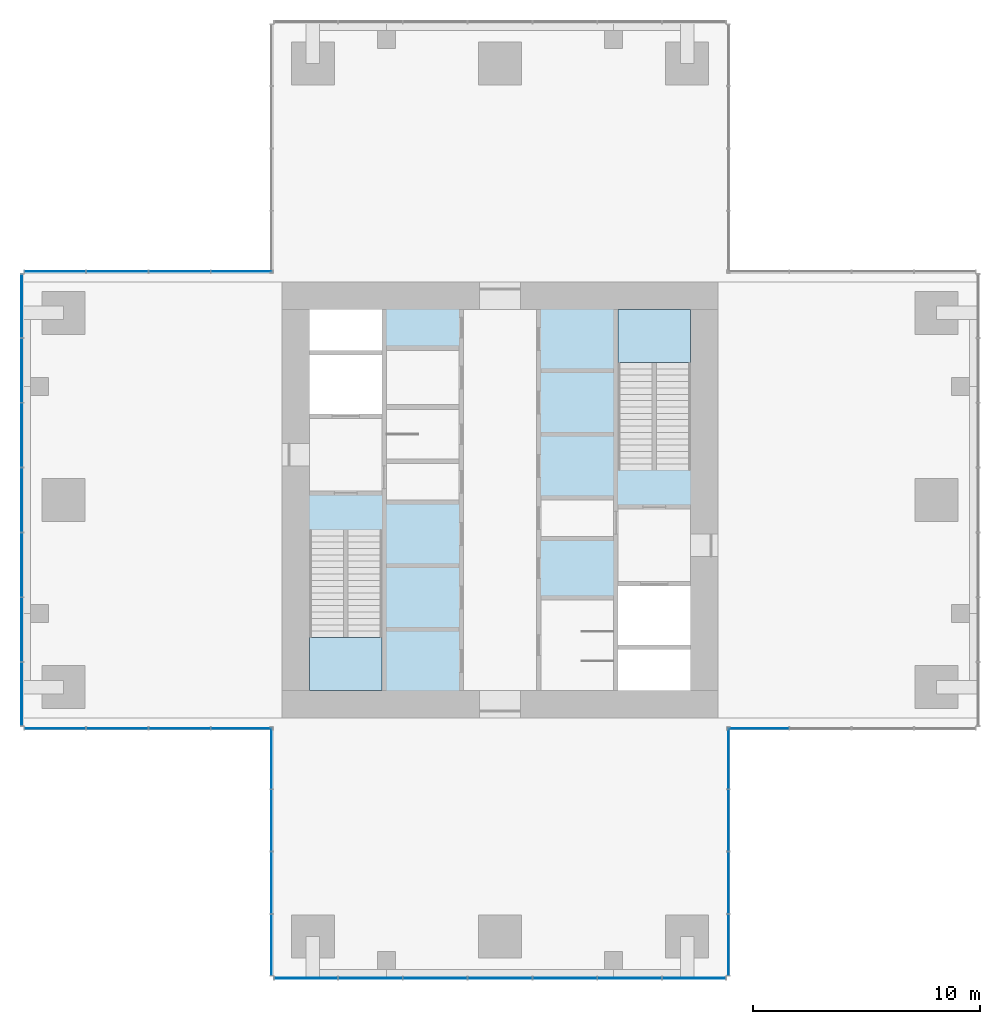
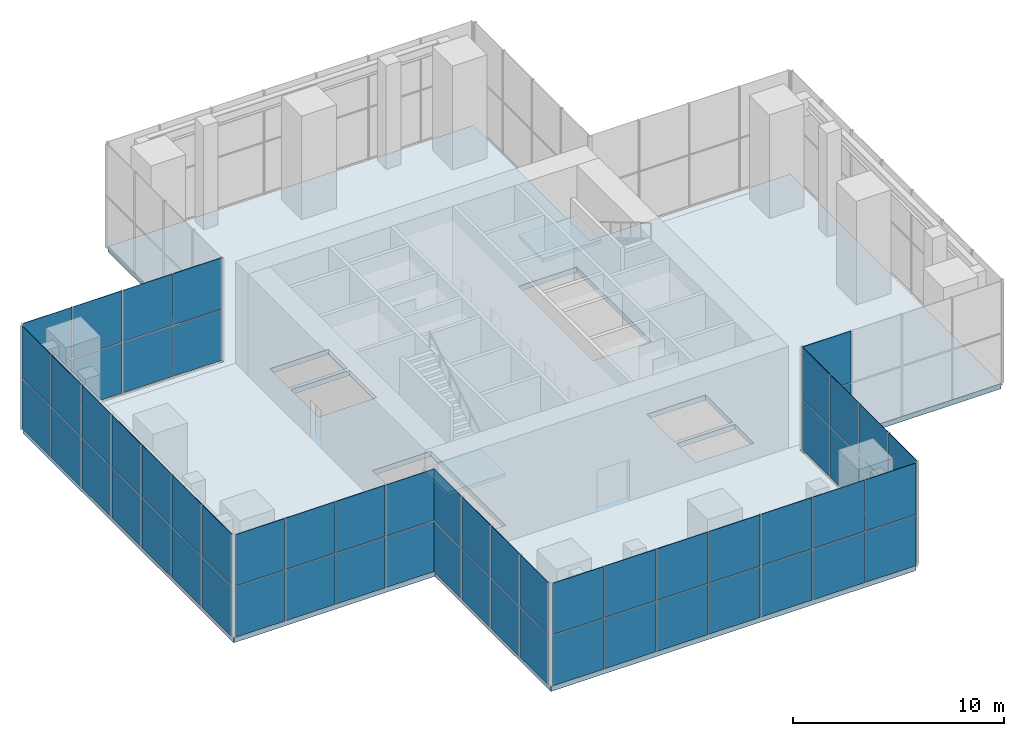
# One storey, part 7 of 11: 62 plates, 3 slabs, 9 elements without a shape of their own.
"""IFC4 building model written with IfcOpenShell, lengths in metres."""

from ifc_helpers import new_model, si_unit, direction, frame, origin, origin_2d, place, context, subcontext, project, spatial, polyline, rectangle, outline, extrude, material, layer, layer_set, type_object, element, aggregate, save


model = new_model("IFC4")

# Units and contexts
model_context = context("Model", 3, precision=1e-05, world=origin(), true_north=direction((0.0, 1.0)))
body_context = subcontext(model_context, "Body", "Model", "MODEL_VIEW")
ifc_project = project(units=[si_unit("LENGTHUNIT", "METRE"), si_unit("AREAUNIT", "SQUARE_METRE"), si_unit("VOLUMEUNIT", "CUBIC_METRE"), si_unit("PLANEANGLEUNIT", "RADIAN"), si_unit("MASSUNIT", "GRAM", prefix="KILO")], contexts=[model_context])

# Site, building, storey
site_placement = place(None, origin())
site = spatial("IfcSite", under=ifc_project, at=site_placement, CompositionType="ELEMENT")
building_placement = place(site_placement, origin())
building = spatial("IfcBuilding", under=site, at=building_placement, Name="Svetlomir Tower", CompositionType="ELEMENT")
storey_placement = place(building_placement, frame((0.0, 0.0, 277.89990234375)))
storey = spatial("IfcBuildingStorey", under=building, at=storey_placement, Name="L66", CompositionType="ELEMENT", Elevation=277.89990234375)

# Curtain wall, plates
ifc_material_1 = material(Name="Bronze anodised aluminium curtain wall", Category="aluminium")
curtain_wall_type = type_object("IfcCurtainWallType", Name="CURTAIN WALL CW6 LANTERN", PredefinedType="NOTDEFINED", material=ifc_material_1)
curtain_wall_1_placement = place(storey_placement, origin())
curtain_wall_1 = element("IfcCurtainWall", 1, at=curtain_wall_1_placement, inside=storey, type_object=curtain_wall_type, Name="Curtain wall CW6 L66", PredefinedType="NOTDEFINED")
ifc_material_2 = material(Name="Tinted double glazed unit", Category="glass")
ifc_layer_1 = layer(ifc_material_2, 0.028076171875)
ifc_layer_set_1 = layer_set([ifc_layer_1], Name="Tinted double glazed unit")
plate_type = type_object("IfcPlateType", Name="CW6 GLAZED PANEL 28", PredefinedType="CURTAIN_PANEL", material=ifc_layer_set_1)
plate_1_placement = place(storey_placement, frame((12.443603515625, -0.080078125, 0.06005859375), z_axis=(0.0, 0.0, 1.0), x_axis=(1.0, 0.0, 0.0)))
plate_1 = element("IfcPlate", 2, at=plate_1_placement, type_object=plate_type, Name="CW6 panel 1.1", PredefinedType="CURTAIN_PANEL", context=body_context, shape_type="SweptSolid", body=[
    extrude(rectangle(XDim=2.76708984375, YDim=0.028076171875, at=origin_2d()), origin(), (0.0, 0.0, 1.0), 2.909912109375),
])
plate_2_placement = place(storey_placement, frame((12.443603515625, -0.080078125, 3.0302734375), z_axis=(0.0, 0.0, 1.0), x_axis=(1.0, 0.0, 0.0)))
plate_2 = element("IfcPlate", 3, at=plate_2_placement, type_object=plate_type, Name="CW6 panel 1.2", PredefinedType="CURTAIN_PANEL", context=body_context, shape_type="SweptSolid", body=[
    extrude(rectangle(XDim=2.76708984375, YDim=0.028076171875, at=origin_2d()), origin(), (0.0, 0.0, 1.0), 2.969970703125),
])
plate_3_placement = place(storey_placement, frame((15.28564453125, -0.080078125, 0.06005859375), z_axis=(0.0, 0.0, 1.0), x_axis=(1.0, 0.0, 0.0)))
plate_3 = element("IfcPlate", 4, at=plate_3_placement, type_object=plate_type, Name="CW6 panel 2.1", PredefinedType="CURTAIN_PANEL", context=body_context, shape_type="SweptSolid", body=[
    extrude(rectangle(XDim=2.797119140625, YDim=0.028076171875, at=origin_2d()), origin(), (0.0, 0.0, 1.0), 2.909912109375),
])
plate_4_placement = place(storey_placement, frame((15.28564453125, -0.080078125, 3.0302734375), z_axis=(0.0, 0.0, 1.0), x_axis=(1.0, 0.0, 0.0)))
plate_4 = element("IfcPlate", 5, at=plate_4_placement, type_object=plate_type, Name="CW6 panel 2.2", PredefinedType="CURTAIN_PANEL", context=body_context, shape_type="SweptSolid", body=[
    extrude(rectangle(XDim=2.797119140625, YDim=0.028076171875, at=origin_2d()), origin(), (0.0, 0.0, 1.0), 2.969970703125),
])
plate_5_placement = place(storey_placement, frame((18.142822265625, -0.080078125, 0.06005859375), z_axis=(0.0, 0.0, 1.0), x_axis=(1.0, 0.0, 0.0)))
plate_5 = element("IfcPlate", 6, at=plate_5_placement, type_object=plate_type, Name="CW6 panel 3.1", PredefinedType="CURTAIN_PANEL", context=body_context, shape_type="SweptSolid", body=[
    extrude(rectangle(XDim=2.797119140625, YDim=0.028076171875, at=origin_2d()), origin(), (0.0, 0.0, 1.0), 2.909912109375),
])
plate_6_placement = place(storey_placement, frame((18.142822265625, -0.080078125, 3.0302734375), z_axis=(0.0, 0.0, 1.0), x_axis=(1.0, 0.0, 0.0)))
plate_6 = element("IfcPlate", 7, at=plate_6_placement, type_object=plate_type, Name="CW6 panel 3.2", PredefinedType="CURTAIN_PANEL", context=body_context, shape_type="SweptSolid", body=[
    extrude(rectangle(XDim=2.797119140625, YDim=0.028076171875, at=origin_2d()), origin(), (0.0, 0.0, 1.0), 2.969970703125),
])
plate_7_placement = place(storey_placement, frame((21.0, -0.080078125, 0.06005859375), z_axis=(0.0, 0.0, 1.0), x_axis=(1.0, 0.0, 0.0)))
plate_7 = element("IfcPlate", 8, at=plate_7_placement, type_object=plate_type, Name="CW6 panel 4.1", PredefinedType="CURTAIN_PANEL", context=body_context, shape_type="SweptSolid", body=[
    extrude(rectangle(XDim=2.797119140625, YDim=0.028076171875, at=origin_2d()), origin(), (0.0, 0.0, 1.0), 2.909912109375),
])
plate_8_placement = place(storey_placement, frame((21.0, -0.080078125, 3.0302734375), z_axis=(0.0, 0.0, 1.0), x_axis=(1.0, 0.0, 0.0)))
plate_8 = element("IfcPlate", 9, at=plate_8_placement, type_object=plate_type, Name="CW6 panel 4.2", PredefinedType="CURTAIN_PANEL", context=body_context, shape_type="SweptSolid", body=[
    extrude(rectangle(XDim=2.797119140625, YDim=0.028076171875, at=origin_2d()), origin(), (0.0, 0.0, 1.0), 2.969970703125),
])
plate_9_placement = place(storey_placement, frame((23.857177734375, -0.080078125, 0.06005859375), z_axis=(0.0, 0.0, 1.0), x_axis=(1.0, 0.0, 0.0)))
plate_9 = element("IfcPlate", 10, at=plate_9_placement, type_object=plate_type, Name="CW6 panel 5.1", PredefinedType="CURTAIN_PANEL", context=body_context, shape_type="SweptSolid", body=[
    extrude(rectangle(XDim=2.797119140625, YDim=0.028076171875, at=origin_2d()), origin(), (0.0, 0.0, 1.0), 2.909912109375),
])
plate_10_placement = place(storey_placement, frame((23.857177734375, -0.080078125, 3.0302734375), z_axis=(0.0, 0.0, 1.0), x_axis=(1.0, 0.0, 0.0)))
plate_10 = element("IfcPlate", 11, at=plate_10_placement, type_object=plate_type, Name="CW6 panel 5.2", PredefinedType="CURTAIN_PANEL", context=body_context, shape_type="SweptSolid", body=[
    extrude(rectangle(XDim=2.797119140625, YDim=0.028076171875, at=origin_2d()), origin(), (0.0, 0.0, 1.0), 2.969970703125),
])
plate_11_placement = place(storey_placement, frame((26.71435546875, -0.080078125, 0.06005859375), z_axis=(0.0, 0.0, 1.0), x_axis=(1.0, 0.0, 0.0)))
plate_11 = element("IfcPlate", 12, at=plate_11_placement, type_object=plate_type, Name="CW6 panel 6.1", PredefinedType="CURTAIN_PANEL", context=body_context, shape_type="SweptSolid", body=[
    extrude(rectangle(XDim=2.797119140625, YDim=0.028076171875, at=origin_2d()), origin(), (0.0, 0.0, 1.0), 2.909912109375),
])
plate_12_placement = place(storey_placement, frame((26.71435546875, -0.080078125, 3.0302734375), z_axis=(0.0, 0.0, 1.0), x_axis=(1.0, 0.0, 0.0)))
plate_12 = element("IfcPlate", 13, at=plate_12_placement, type_object=plate_type, Name="CW6 panel 6.2", PredefinedType="CURTAIN_PANEL", context=body_context, shape_type="SweptSolid", body=[
    extrude(rectangle(XDim=2.797119140625, YDim=0.028076171875, at=origin_2d()), origin(), (0.0, 0.0, 1.0), 2.969970703125),
])
plate_13_placement = place(storey_placement, frame((29.556396484375, -0.080078125, 0.06005859375), z_axis=(0.0, 0.0, 1.0), x_axis=(1.0, 0.0, 0.0)))
plate_13 = element("IfcPlate", 14, at=plate_13_placement, type_object=plate_type, Name="CW6 panel 7.1", PredefinedType="CURTAIN_PANEL", context=body_context, shape_type="SweptSolid", body=[
    extrude(rectangle(XDim=2.76708984375, YDim=0.028076171875, at=origin_2d()), origin(), (0.0, 0.0, 1.0), 2.909912109375),
])
plate_14_placement = place(storey_placement, frame((29.556396484375, -0.080078125, 3.0302734375), z_axis=(0.0, 0.0, 1.0), x_axis=(1.0, 0.0, 0.0)))
plate_14 = element("IfcPlate", 15, at=plate_14_placement, type_object=plate_type, Name="CW6 panel 7.2", PredefinedType="CURTAIN_PANEL", context=body_context, shape_type="SweptSolid", body=[
    extrude(rectangle(XDim=2.76708984375, YDim=0.028076171875, at=origin_2d()), origin(), (0.0, 0.0, 1.0), 2.969970703125),
])
aggregate(curtain_wall_1, [plate_1, plate_2, plate_3, plate_4, plate_5, plate_6, plate_7, plate_8, plate_9, plate_10, plate_11, plate_12, plate_13, plate_14])

curtain_wall_2_placement = place(storey_placement, origin())
curtain_wall_2 = element("IfcCurtainWall", 16, at=curtain_wall_2_placement, inside=storey, type_object=curtain_wall_type, Name="Curtain wall CW6 L66", PredefinedType="NOTDEFINED")
plate_15_placement = place(storey_placement, frame((31.080078125, 1.389892578125, 0.06005859375), z_axis=(0.0, 0.0, 1.0), x_axis=(0.0, 1.0, 0.0)))
plate_15 = element("IfcPlate", 17, at=plate_15_placement, type_object=plate_type, Name="CW6 panel 1.1", PredefinedType="CURTAIN_PANEL", context=body_context, shape_type="SweptSolid", body=[
    extrude(rectangle(XDim=2.659912109375, YDim=0.028076171875, at=origin_2d()), origin(), (0.0, 0.0, 1.0), 2.909912109375),
])
plate_16_placement = place(storey_placement, frame((31.080078125, 1.389892578125, 3.0302734375), z_axis=(0.0, 0.0, 1.0), x_axis=(0.0, 1.0, 0.0)))
plate_16 = element("IfcPlate", 18, at=plate_16_placement, type_object=plate_type, Name="CW6 panel 1.2", PredefinedType="CURTAIN_PANEL", context=body_context, shape_type="SweptSolid", body=[
    extrude(rectangle(XDim=2.659912109375, YDim=0.028076171875, at=origin_2d()), origin(), (0.0, 0.0, 1.0), 2.969970703125),
])
plate_17_placement = place(storey_placement, frame((31.080078125, 4.125, 0.06005859375), z_axis=(0.0, 0.0, 1.0), x_axis=(0.0, 1.0, 0.0)))
plate_17 = element("IfcPlate", 19, at=plate_17_placement, type_object=plate_type, Name="CW6 panel 2.1", PredefinedType="CURTAIN_PANEL", context=body_context, shape_type="SweptSolid", body=[
    extrude(rectangle(XDim=2.68994140625, YDim=0.028076171875, at=origin_2d()), origin(), (0.0, 0.0, 1.0), 2.909912109375),
])
plate_18_placement = place(storey_placement, frame((31.080078125, 4.125, 3.0302734375), z_axis=(0.0, 0.0, 1.0), x_axis=(0.0, 1.0, 0.0)))
plate_18 = element("IfcPlate", 20, at=plate_18_placement, type_object=plate_type, Name="CW6 panel 2.2", PredefinedType="CURTAIN_PANEL", context=body_context, shape_type="SweptSolid", body=[
    extrude(rectangle(XDim=2.68994140625, YDim=0.028076171875, at=origin_2d()), origin(), (0.0, 0.0, 1.0), 2.969970703125),
])
plate_19_placement = place(storey_placement, frame((31.080078125, 6.875, 0.06005859375), z_axis=(0.0, 0.0, 1.0), x_axis=(0.0, 1.0, 0.0)))
plate_19 = element("IfcPlate", 21, at=plate_19_placement, type_object=plate_type, Name="CW6 panel 3.1", PredefinedType="CURTAIN_PANEL", context=body_context, shape_type="SweptSolid", body=[
    extrude(rectangle(XDim=2.68994140625, YDim=0.028076171875, at=origin_2d()), origin(), (0.0, 0.0, 1.0), 2.909912109375),
])
plate_20_placement = place(storey_placement, frame((31.080078125, 6.875, 3.0302734375), z_axis=(0.0, 0.0, 1.0), x_axis=(0.0, 1.0, 0.0)))
plate_20 = element("IfcPlate", 22, at=plate_20_placement, type_object=plate_type, Name="CW6 panel 3.2", PredefinedType="CURTAIN_PANEL", context=body_context, shape_type="SweptSolid", body=[
    extrude(rectangle(XDim=2.68994140625, YDim=0.028076171875, at=origin_2d()), origin(), (0.0, 0.0, 1.0), 2.969970703125),
])
plate_21_placement = place(storey_placement, frame((31.080078125, 9.610107421875, 0.06005859375), z_axis=(0.0, 0.0, 1.0), x_axis=(0.0, 1.0, 0.0)))
plate_21 = element("IfcPlate", 23, at=plate_21_placement, type_object=plate_type, Name="CW6 panel 4.1", PredefinedType="CURTAIN_PANEL", context=body_context, shape_type="SweptSolid", body=[
    extrude(rectangle(XDim=2.659912109375, YDim=0.028076171875, at=origin_2d()), origin(), (0.0, 0.0, 1.0), 2.909912109375),
])
plate_22_placement = place(storey_placement, frame((31.080078125, 9.610107421875, 3.0302734375), z_axis=(0.0, 0.0, 1.0), x_axis=(0.0, 1.0, 0.0)))
plate_22 = element("IfcPlate", 24, at=plate_22_placement, type_object=plate_type, Name="CW6 panel 4.2", PredefinedType="CURTAIN_PANEL", context=body_context, shape_type="SweptSolid", body=[
    extrude(rectangle(XDim=2.659912109375, YDim=0.028076171875, at=origin_2d()), origin(), (0.0, 0.0, 1.0), 2.969970703125),
])
aggregate(curtain_wall_2, [plate_15, plate_16, plate_17, plate_18, plate_19, plate_20, plate_21, plate_22])

curtain_wall_3_placement = place(storey_placement, origin())
curtain_wall_3 = element("IfcCurtainWall", 25, at=curtain_wall_3_placement, inside=storey, type_object=curtain_wall_type, Name="Curtain wall CW6 L66", PredefinedType="NOTDEFINED")
plate_23_placement = place(storey_placement, frame((32.389892578125, 10.919921875, 0.06005859375), z_axis=(0.0, 0.0, 1.0), x_axis=(1.0, 0.0, 0.0)))
plate_23 = element("IfcPlate", 26, at=plate_23_placement, type_object=plate_type, Name="CW6 panel 1.1", PredefinedType="CURTAIN_PANEL", context=body_context, shape_type="SweptSolid", body=[
    extrude(rectangle(XDim=2.659912109375, YDim=0.028076171875, at=origin_2d()), origin(), (0.0, 0.0, 1.0), 2.909912109375),
])
plate_24_placement = place(storey_placement, frame((32.389892578125, 10.919921875, 3.0302734375), z_axis=(0.0, 0.0, 1.0), x_axis=(1.0, 0.0, 0.0)))
plate_24 = element("IfcPlate", 27, at=plate_24_placement, type_object=plate_type, Name="CW6 panel 1.2", PredefinedType="CURTAIN_PANEL", context=body_context, shape_type="SweptSolid", body=[
    extrude(rectangle(XDim=2.659912109375, YDim=0.028076171875, at=origin_2d()), origin(), (0.0, 0.0, 1.0), 2.969970703125),
])
aggregate(curtain_wall_3, [plate_23, plate_24])

curtain_wall_4_placement = place(storey_placement, origin())
curtain_wall_4 = element("IfcCurtainWall", 28, at=curtain_wall_4_placement, inside=storey, type_object=curtain_wall_type, Name="Curtain wall CW6 L66", PredefinedType="NOTDEFINED")
plate_25_placement = place(storey_placement, frame((9.610107421875, 31.080078125, 0.06005859375), z_axis=(0.0, 0.0, 1.0), x_axis=(-1.0, 0.0, 0.0)))
plate_25 = element("IfcPlate", 29, at=plate_25_placement, type_object=plate_type, Name="CW6 panel 1.1", PredefinedType="CURTAIN_PANEL", context=body_context, shape_type="SweptSolid", body=[
    extrude(rectangle(XDim=2.659912109375, YDim=0.028076171875, at=origin_2d()), origin(), (0.0, 0.0, 1.0), 2.909912109375),
])
plate_26_placement = place(storey_placement, frame((9.610107421875, 31.080078125, 3.0302734375), z_axis=(0.0, 0.0, 1.0), x_axis=(-1.0, 0.0, 0.0)))
plate_26 = element("IfcPlate", 30, at=plate_26_placement, type_object=plate_type, Name="CW6 panel 1.2", PredefinedType="CURTAIN_PANEL", context=body_context, shape_type="SweptSolid", body=[
    extrude(rectangle(XDim=2.659912109375, YDim=0.028076171875, at=origin_2d()), origin(), (0.0, 0.0, 1.0), 2.969970703125),
])
plate_27_placement = place(storey_placement, frame((6.875, 31.080078125, 0.06005859375), z_axis=(0.0, 0.0, 1.0), x_axis=(-1.0, 0.0, 0.0)))
plate_27 = element("IfcPlate", 31, at=plate_27_placement, type_object=plate_type, Name="CW6 panel 2.1", PredefinedType="CURTAIN_PANEL", context=body_context, shape_type="SweptSolid", body=[
    extrude(rectangle(XDim=2.68994140625, YDim=0.028076171875, at=origin_2d()), origin(), (0.0, 0.0, 1.0), 2.909912109375),
])
plate_28_placement = place(storey_placement, frame((6.875, 31.080078125, 3.0302734375), z_axis=(0.0, 0.0, 1.0), x_axis=(-1.0, 0.0, 0.0)))
plate_28 = element("IfcPlate", 32, at=plate_28_placement, type_object=plate_type, Name="CW6 panel 2.2", PredefinedType="CURTAIN_PANEL", context=body_context, shape_type="SweptSolid", body=[
    extrude(rectangle(XDim=2.68994140625, YDim=0.028076171875, at=origin_2d()), origin(), (0.0, 0.0, 1.0), 2.969970703125),
])
plate_29_placement = place(storey_placement, frame((4.125, 31.080078125, 0.06005859375), z_axis=(0.0, 0.0, 1.0), x_axis=(-1.0, 0.0, 0.0)))
plate_29 = element("IfcPlate", 33, at=plate_29_placement, type_object=plate_type, Name="CW6 panel 3.1", PredefinedType="CURTAIN_PANEL", context=body_context, shape_type="SweptSolid", body=[
    extrude(rectangle(XDim=2.68994140625, YDim=0.028076171875, at=origin_2d()), origin(), (0.0, 0.0, 1.0), 2.909912109375),
])
plate_30_placement = place(storey_placement, frame((4.125, 31.080078125, 3.0302734375), z_axis=(0.0, 0.0, 1.0), x_axis=(-1.0, 0.0, 0.0)))
plate_30 = element("IfcPlate", 34, at=plate_30_placement, type_object=plate_type, Name="CW6 panel 3.2", PredefinedType="CURTAIN_PANEL", context=body_context, shape_type="SweptSolid", body=[
    extrude(rectangle(XDim=2.68994140625, YDim=0.028076171875, at=origin_2d()), origin(), (0.0, 0.0, 1.0), 2.969970703125),
])
plate_31_placement = place(storey_placement, frame((1.389892578125, 31.080078125, 0.06005859375), z_axis=(0.0, 0.0, 1.0), x_axis=(-1.0, 0.0, 0.0)))
plate_31 = element("IfcPlate", 35, at=plate_31_placement, type_object=plate_type, Name="CW6 panel 4.1", PredefinedType="CURTAIN_PANEL", context=body_context, shape_type="SweptSolid", body=[
    extrude(rectangle(XDim=2.659912109375, YDim=0.028076171875, at=origin_2d()), origin(), (0.0, 0.0, 1.0), 2.909912109375),
])
plate_32_placement = place(storey_placement, frame((1.389892578125, 31.080078125, 3.0302734375), z_axis=(0.0, 0.0, 1.0), x_axis=(-1.0, 0.0, 0.0)))
plate_32 = element("IfcPlate", 36, at=plate_32_placement, type_object=plate_type, Name="CW6 panel 4.2", PredefinedType="CURTAIN_PANEL", context=body_context, shape_type="SweptSolid", body=[
    extrude(rectangle(XDim=2.659912109375, YDim=0.028076171875, at=origin_2d()), origin(), (0.0, 0.0, 1.0), 2.969970703125),
])
aggregate(curtain_wall_4, [plate_25, plate_26, plate_27, plate_28, plate_29, plate_30, plate_31, plate_32])

curtain_wall_5_placement = place(storey_placement, origin())
curtain_wall_5 = element("IfcCurtainWall", 37, at=curtain_wall_5_placement, inside=storey, type_object=curtain_wall_type, Name="Curtain wall CW6 L66", PredefinedType="NOTDEFINED")
plate_33_placement = place(storey_placement, frame((-0.080078125, 29.556396484375, 0.06005859375), z_axis=(0.0, 0.0, 1.0), x_axis=(0.0, -1.0, 0.0)))
plate_33 = element("IfcPlate", 38, at=plate_33_placement, type_object=plate_type, Name="CW6 panel 1.1", PredefinedType="CURTAIN_PANEL", context=body_context, shape_type="SweptSolid", body=[
    extrude(rectangle(XDim=2.76708984375, YDim=0.028076171875, at=origin_2d()), origin(), (0.0, 0.0, 1.0), 2.909912109375),
])
plate_34_placement = place(storey_placement, frame((-0.080078125, 29.556396484375, 3.0302734375), z_axis=(0.0, 0.0, 1.0), x_axis=(0.0, -1.0, 0.0)))
plate_34 = element("IfcPlate", 39, at=plate_34_placement, type_object=plate_type, Name="CW6 panel 1.2", PredefinedType="CURTAIN_PANEL", context=body_context, shape_type="SweptSolid", body=[
    extrude(rectangle(XDim=2.76708984375, YDim=0.028076171875, at=origin_2d()), origin(), (0.0, 0.0, 1.0), 2.969970703125),
])
plate_35_placement = place(storey_placement, frame((-0.080078125, 26.71435546875, 0.06005859375), z_axis=(0.0, 0.0, 1.0), x_axis=(0.0, -1.0, 0.0)))
plate_35 = element("IfcPlate", 40, at=plate_35_placement, type_object=plate_type, Name="CW6 panel 2.1", PredefinedType="CURTAIN_PANEL", context=body_context, shape_type="SweptSolid", body=[
    extrude(rectangle(XDim=2.797119140625, YDim=0.028076171875, at=origin_2d()), origin(), (0.0, 0.0, 1.0), 2.909912109375),
])
plate_36_placement = place(storey_placement, frame((-0.080078125, 26.71435546875, 3.0302734375), z_axis=(0.0, 0.0, 1.0), x_axis=(0.0, -1.0, 0.0)))
plate_36 = element("IfcPlate", 41, at=plate_36_placement, type_object=plate_type, Name="CW6 panel 2.2", PredefinedType="CURTAIN_PANEL", context=body_context, shape_type="SweptSolid", body=[
    extrude(rectangle(XDim=2.797119140625, YDim=0.028076171875, at=origin_2d()), origin(), (0.0, 0.0, 1.0), 2.969970703125),
])
plate_37_placement = place(storey_placement, frame((-0.080078125, 23.857177734375, 0.06005859375), z_axis=(0.0, 0.0, 1.0), x_axis=(0.0, -1.0, 0.0)))
plate_37 = element("IfcPlate", 42, at=plate_37_placement, type_object=plate_type, Name="CW6 panel 3.1", PredefinedType="CURTAIN_PANEL", context=body_context, shape_type="SweptSolid", body=[
    extrude(rectangle(XDim=2.797119140625, YDim=0.028076171875, at=origin_2d()), origin(), (0.0, 0.0, 1.0), 2.909912109375),
])
plate_38_placement = place(storey_placement, frame((-0.080078125, 23.857177734375, 3.0302734375), z_axis=(0.0, 0.0, 1.0), x_axis=(0.0, -1.0, 0.0)))
plate_38 = element("IfcPlate", 43, at=plate_38_placement, type_object=plate_type, Name="CW6 panel 3.2", PredefinedType="CURTAIN_PANEL", context=body_context, shape_type="SweptSolid", body=[
    extrude(rectangle(XDim=2.797119140625, YDim=0.028076171875, at=origin_2d()), origin(), (0.0, 0.0, 1.0), 2.969970703125),
])
plate_39_placement = place(storey_placement, frame((-0.080078125, 21.0, 0.06005859375), z_axis=(0.0, 0.0, 1.0), x_axis=(0.0, -1.0, 0.0)))
plate_39 = element("IfcPlate", 44, at=plate_39_placement, type_object=plate_type, Name="CW6 panel 4.1", PredefinedType="CURTAIN_PANEL", context=body_context, shape_type="SweptSolid", body=[
    extrude(rectangle(XDim=2.797119140625, YDim=0.028076171875, at=origin_2d()), origin(), (0.0, 0.0, 1.0), 2.909912109375),
])
plate_40_placement = place(storey_placement, frame((-0.080078125, 21.0, 3.0302734375), z_axis=(0.0, 0.0, 1.0), x_axis=(0.0, -1.0, 0.0)))
plate_40 = element("IfcPlate", 45, at=plate_40_placement, type_object=plate_type, Name="CW6 panel 4.2", PredefinedType="CURTAIN_PANEL", context=body_context, shape_type="SweptSolid", body=[
    extrude(rectangle(XDim=2.797119140625, YDim=0.028076171875, at=origin_2d()), origin(), (0.0, 0.0, 1.0), 2.969970703125),
])
plate_41_placement = place(storey_placement, frame((-0.080078125, 18.142822265625, 0.06005859375), z_axis=(0.0, 0.0, 1.0), x_axis=(0.0, -1.0, 0.0)))
plate_41 = element("IfcPlate", 46, at=plate_41_placement, type_object=plate_type, Name="CW6 panel 5.1", PredefinedType="CURTAIN_PANEL", context=body_context, shape_type="SweptSolid", body=[
    extrude(rectangle(XDim=2.797119140625, YDim=0.028076171875, at=origin_2d()), origin(), (0.0, 0.0, 1.0), 2.909912109375),
])
plate_42_placement = place(storey_placement, frame((-0.080078125, 18.142822265625, 3.0302734375), z_axis=(0.0, 0.0, 1.0), x_axis=(0.0, -1.0, 0.0)))
plate_42 = element("IfcPlate", 47, at=plate_42_placement, type_object=plate_type, Name="CW6 panel 5.2", PredefinedType="CURTAIN_PANEL", context=body_context, shape_type="SweptSolid", body=[
    extrude(rectangle(XDim=2.797119140625, YDim=0.028076171875, at=origin_2d()), origin(), (0.0, 0.0, 1.0), 2.969970703125),
])
plate_43_placement = place(storey_placement, frame((-0.080078125, 15.28564453125, 0.06005859375), z_axis=(0.0, 0.0, 1.0), x_axis=(0.0, -1.0, 0.0)))
plate_43 = element("IfcPlate", 48, at=plate_43_placement, type_object=plate_type, Name="CW6 panel 6.1", PredefinedType="CURTAIN_PANEL", context=body_context, shape_type="SweptSolid", body=[
    extrude(rectangle(XDim=2.797119140625, YDim=0.028076171875, at=origin_2d()), origin(), (0.0, 0.0, 1.0), 2.909912109375),
])
plate_44_placement = place(storey_placement, frame((-0.080078125, 15.28564453125, 3.0302734375), z_axis=(0.0, 0.0, 1.0), x_axis=(0.0, -1.0, 0.0)))
plate_44 = element("IfcPlate", 49, at=plate_44_placement, type_object=plate_type, Name="CW6 panel 6.2", PredefinedType="CURTAIN_PANEL", context=body_context, shape_type="SweptSolid", body=[
    extrude(rectangle(XDim=2.797119140625, YDim=0.028076171875, at=origin_2d()), origin(), (0.0, 0.0, 1.0), 2.969970703125),
])
plate_45_placement = place(storey_placement, frame((-0.080078125, 12.443603515625, 0.06005859375), z_axis=(0.0, 0.0, 1.0), x_axis=(0.0, -1.0, 0.0)))
plate_45 = element("IfcPlate", 50, at=plate_45_placement, type_object=plate_type, Name="CW6 panel 7.1", PredefinedType="CURTAIN_PANEL", context=body_context, shape_type="SweptSolid", body=[
    extrude(rectangle(XDim=2.76708984375, YDim=0.028076171875, at=origin_2d()), origin(), (0.0, 0.0, 1.0), 2.909912109375),
])
plate_46_placement = place(storey_placement, frame((-0.080078125, 12.443603515625, 3.0302734375), z_axis=(0.0, 0.0, 1.0), x_axis=(0.0, -1.0, 0.0)))
plate_46 = element("IfcPlate", 51, at=plate_46_placement, type_object=plate_type, Name="CW6 panel 7.2", PredefinedType="CURTAIN_PANEL", context=body_context, shape_type="SweptSolid", body=[
    extrude(rectangle(XDim=2.76708984375, YDim=0.028076171875, at=origin_2d()), origin(), (0.0, 0.0, 1.0), 2.969970703125),
])
aggregate(curtain_wall_5, [plate_33, plate_34, plate_35, plate_36, plate_37, plate_38, plate_39, plate_40, plate_41, plate_42, plate_43, plate_44, plate_45, plate_46])

curtain_wall_6_placement = place(storey_placement, origin())
curtain_wall_6 = element("IfcCurtainWall", 52, at=curtain_wall_6_placement, inside=storey, type_object=curtain_wall_type, Name="Curtain wall CW6 L66", PredefinedType="NOTDEFINED")
plate_47_placement = place(storey_placement, frame((1.389892578125, 10.919921875, 0.06005859375), z_axis=(0.0, 0.0, 1.0), x_axis=(1.0, 0.0, 0.0)))
plate_47 = element("IfcPlate", 53, at=plate_47_placement, type_object=plate_type, Name="CW6 panel 1.1", PredefinedType="CURTAIN_PANEL", context=body_context, shape_type="SweptSolid", body=[
    extrude(rectangle(XDim=2.659912109375, YDim=0.028076171875, at=origin_2d()), origin(), (0.0, 0.0, 1.0), 2.909912109375),
])
plate_48_placement = place(storey_placement, frame((1.389892578125, 10.919921875, 3.0302734375), z_axis=(0.0, 0.0, 1.0), x_axis=(1.0, 0.0, 0.0)))
plate_48 = element("IfcPlate", 54, at=plate_48_placement, type_object=plate_type, Name="CW6 panel 1.2", PredefinedType="CURTAIN_PANEL", context=body_context, shape_type="SweptSolid", body=[
    extrude(rectangle(XDim=2.659912109375, YDim=0.028076171875, at=origin_2d()), origin(), (0.0, 0.0, 1.0), 2.969970703125),
])
plate_49_placement = place(storey_placement, frame((4.125, 10.919921875, 0.06005859375), z_axis=(0.0, 0.0, 1.0), x_axis=(1.0, 0.0, 0.0)))
plate_49 = element("IfcPlate", 55, at=plate_49_placement, type_object=plate_type, Name="CW6 panel 2.1", PredefinedType="CURTAIN_PANEL", context=body_context, shape_type="SweptSolid", body=[
    extrude(rectangle(XDim=2.68994140625, YDim=0.028076171875, at=origin_2d()), origin(), (0.0, 0.0, 1.0), 2.909912109375),
])
plate_50_placement = place(storey_placement, frame((4.125, 10.919921875, 3.0302734375), z_axis=(0.0, 0.0, 1.0), x_axis=(1.0, 0.0, 0.0)))
plate_50 = element("IfcPlate", 56, at=plate_50_placement, type_object=plate_type, Name="CW6 panel 2.2", PredefinedType="CURTAIN_PANEL", context=body_context, shape_type="SweptSolid", body=[
    extrude(rectangle(XDim=2.68994140625, YDim=0.028076171875, at=origin_2d()), origin(), (0.0, 0.0, 1.0), 2.969970703125),
])
plate_51_placement = place(storey_placement, frame((6.875, 10.919921875, 0.06005859375), z_axis=(0.0, 0.0, 1.0), x_axis=(1.0, 0.0, 0.0)))
plate_51 = element("IfcPlate", 57, at=plate_51_placement, type_object=plate_type, Name="CW6 panel 3.1", PredefinedType="CURTAIN_PANEL", context=body_context, shape_type="SweptSolid", body=[
    extrude(rectangle(XDim=2.68994140625, YDim=0.028076171875, at=origin_2d()), origin(), (0.0, 0.0, 1.0), 2.909912109375),
])
plate_52_placement = place(storey_placement, frame((6.875, 10.919921875, 3.0302734375), z_axis=(0.0, 0.0, 1.0), x_axis=(1.0, 0.0, 0.0)))
plate_52 = element("IfcPlate", 58, at=plate_52_placement, type_object=plate_type, Name="CW6 panel 3.2", PredefinedType="CURTAIN_PANEL", context=body_context, shape_type="SweptSolid", body=[
    extrude(rectangle(XDim=2.68994140625, YDim=0.028076171875, at=origin_2d()), origin(), (0.0, 0.0, 1.0), 2.969970703125),
])
plate_53_placement = place(storey_placement, frame((9.610107421875, 10.919921875, 0.06005859375), z_axis=(0.0, 0.0, 1.0), x_axis=(1.0, 0.0, 0.0)))
plate_53 = element("IfcPlate", 59, at=plate_53_placement, type_object=plate_type, Name="CW6 panel 4.1", PredefinedType="CURTAIN_PANEL", context=body_context, shape_type="SweptSolid", body=[
    extrude(rectangle(XDim=2.659912109375, YDim=0.028076171875, at=origin_2d()), origin(), (0.0, 0.0, 1.0), 2.909912109375),
])
plate_54_placement = place(storey_placement, frame((9.610107421875, 10.919921875, 3.0302734375), z_axis=(0.0, 0.0, 1.0), x_axis=(1.0, 0.0, 0.0)))
plate_54 = element("IfcPlate", 60, at=plate_54_placement, type_object=plate_type, Name="CW6 panel 4.2", PredefinedType="CURTAIN_PANEL", context=body_context, shape_type="SweptSolid", body=[
    extrude(rectangle(XDim=2.659912109375, YDim=0.028076171875, at=origin_2d()), origin(), (0.0, 0.0, 1.0), 2.969970703125),
])
aggregate(curtain_wall_6, [plate_47, plate_48, plate_49, plate_50, plate_51, plate_52, plate_53, plate_54])

curtain_wall_7_placement = place(storey_placement, origin())
curtain_wall_7 = element("IfcCurtainWall", 61, at=curtain_wall_7_placement, inside=storey, type_object=curtain_wall_type, Name="Curtain wall CW6 L66", PredefinedType="NOTDEFINED")
plate_55_placement = place(storey_placement, frame((10.919921875, 9.610107421875, 0.06005859375), z_axis=(0.0, 0.0, 1.0), x_axis=(0.0, -1.0, 0.0)))
plate_55 = element("IfcPlate", 62, at=plate_55_placement, type_object=plate_type, Name="CW6 panel 1.1", PredefinedType="CURTAIN_PANEL", context=body_context, shape_type="SweptSolid", body=[
    extrude(rectangle(XDim=2.659912109375, YDim=0.028076171875, at=origin_2d()), origin(), (0.0, 0.0, 1.0), 2.909912109375),
])
plate_56_placement = place(storey_placement, frame((10.919921875, 9.610107421875, 3.0302734375), z_axis=(0.0, 0.0, 1.0), x_axis=(0.0, -1.0, 0.0)))
plate_56 = element("IfcPlate", 63, at=plate_56_placement, type_object=plate_type, Name="CW6 panel 1.2", PredefinedType="CURTAIN_PANEL", context=body_context, shape_type="SweptSolid", body=[
    extrude(rectangle(XDim=2.659912109375, YDim=0.028076171875, at=origin_2d()), origin(), (0.0, 0.0, 1.0), 2.969970703125),
])
plate_57_placement = place(storey_placement, frame((10.919921875, 6.875, 0.06005859375), z_axis=(0.0, 0.0, 1.0), x_axis=(0.0, -1.0, 0.0)))
plate_57 = element("IfcPlate", 64, at=plate_57_placement, type_object=plate_type, Name="CW6 panel 2.1", PredefinedType="CURTAIN_PANEL", context=body_context, shape_type="SweptSolid", body=[
    extrude(rectangle(XDim=2.68994140625, YDim=0.028076171875, at=origin_2d()), origin(), (0.0, 0.0, 1.0), 2.909912109375),
])
plate_58_placement = place(storey_placement, frame((10.919921875, 6.875, 3.0302734375), z_axis=(0.0, 0.0, 1.0), x_axis=(0.0, -1.0, 0.0)))
plate_58 = element("IfcPlate", 65, at=plate_58_placement, type_object=plate_type, Name="CW6 panel 2.2", PredefinedType="CURTAIN_PANEL", context=body_context, shape_type="SweptSolid", body=[
    extrude(rectangle(XDim=2.68994140625, YDim=0.028076171875, at=origin_2d()), origin(), (0.0, 0.0, 1.0), 2.969970703125),
])
plate_59_placement = place(storey_placement, frame((10.919921875, 4.125, 0.06005859375), z_axis=(0.0, 0.0, 1.0), x_axis=(0.0, -1.0, 0.0)))
plate_59 = element("IfcPlate", 66, at=plate_59_placement, type_object=plate_type, Name="CW6 panel 3.1", PredefinedType="CURTAIN_PANEL", context=body_context, shape_type="SweptSolid", body=[
    extrude(rectangle(XDim=2.68994140625, YDim=0.028076171875, at=origin_2d()), origin(), (0.0, 0.0, 1.0), 2.909912109375),
])
plate_60_placement = place(storey_placement, frame((10.919921875, 4.125, 3.0302734375), z_axis=(0.0, 0.0, 1.0), x_axis=(0.0, -1.0, 0.0)))
plate_60 = element("IfcPlate", 67, at=plate_60_placement, type_object=plate_type, Name="CW6 panel 3.2", PredefinedType="CURTAIN_PANEL", context=body_context, shape_type="SweptSolid", body=[
    extrude(rectangle(XDim=2.68994140625, YDim=0.028076171875, at=origin_2d()), origin(), (0.0, 0.0, 1.0), 2.969970703125),
])
plate_61_placement = place(storey_placement, frame((10.919921875, 1.389892578125, 0.06005859375), z_axis=(0.0, 0.0, 1.0), x_axis=(0.0, -1.0, 0.0)))
plate_61 = element("IfcPlate", 68, at=plate_61_placement, type_object=plate_type, Name="CW6 panel 4.1", PredefinedType="CURTAIN_PANEL", context=body_context, shape_type="SweptSolid", body=[
    extrude(rectangle(XDim=2.659912109375, YDim=0.028076171875, at=origin_2d()), origin(), (0.0, 0.0, 1.0), 2.909912109375),
])
plate_62_placement = place(storey_placement, frame((10.919921875, 1.389892578125, 3.0302734375), z_axis=(0.0, 0.0, 1.0), x_axis=(0.0, -1.0, 0.0)))
plate_62 = element("IfcPlate", 69, at=plate_62_placement, type_object=plate_type, Name="CW6 panel 4.2", PredefinedType="CURTAIN_PANEL", context=body_context, shape_type="SweptSolid", body=[
    extrude(rectangle(XDim=2.659912109375, YDim=0.028076171875, at=origin_2d()), origin(), (0.0, 0.0, 1.0), 2.969970703125),
])
aggregate(curtain_wall_7, [plate_55, plate_56, plate_57, plate_58, plate_59, plate_60, plate_61, plate_62])

# Slab
ifc_material_3 = material(Name="Concrete C60/75", Category="concrete")
ifc_layer_2 = layer(ifc_material_3, 0.300048828125)
ifc_layer_set_2 = layer_set([ifc_layer_2], Name="Concrete C60/75")
slab_type_1 = type_object("IfcSlabType", Name="FLOOR SLAB 300", PredefinedType="FLOOR", material=ifc_layer_set_2)
slab_1_placement = place(storey_placement, frame((0.0, 0.0, -0.2998046875)))
element("IfcSlab", 70, at=slab_1_placement, inside=storey, type_object=slab_type_1, Name="L66 floor slab", PredefinedType="FLOOR", context=body_context, shape_type="SweptSolid", body=[
    extrude(outline(polyline([(11.0, 0.0), (31.0, 0.0), (31.0, 11.0), (42.0, 11.0), (42.0, 31.0), (31.0, 31.0), (31.0, 42.0), (11.0, 42.0), (11.0, 31.0), (0.0, 31.0), (0.0, 11.0), (11.0, 11.0), (11.0, 0.0)]), holes=[polyline([(12.60009765625, 24.800048828125), (15.800048828125, 24.800048828125), (15.800048828125, 27.39990234375), (12.60009765625, 27.39990234375), (12.60009765625, 24.800048828125)]), polyline([(26.199951171875, 14.60009765625), (29.39990234375, 14.60009765625), (29.39990234375, 17.199951171875), (26.199951171875, 17.199951171875), (26.199951171875, 14.60009765625)]), polyline([(12.60009765625, 27.60009765625), (15.800048828125, 27.60009765625), (15.800048828125, 29.39990234375), (12.60009765625, 29.39990234375), (12.60009765625, 27.60009765625)]), polyline([(26.199951171875, 12.60009765625), (29.39990234375, 12.60009765625), (29.39990234375, 14.39990234375), (26.199951171875, 14.39990234375), (26.199951171875, 12.60009765625)]), polyline([(12.60009765625, 12.60009765625), (15.800048828125, 12.60009765625), (15.800048828125, 19.679931640625), (12.60009765625, 19.679931640625), (12.60009765625, 12.60009765625)]), polyline([(26.199951171875, 22.320068359375), (29.39990234375, 22.320068359375), (29.39990234375, 29.39990234375), (26.199951171875, 29.39990234375), (26.199951171875, 22.320068359375)])]), origin(), (0.0, 0.0, 1.0), 0.2998046875),
])

# Stair, slab
ifc_material_4 = material(Name="Concrete C60/75", Category="concrete")
stair_type = type_object("IfcStairType", Name="EXIT STAIR 3200 RISE 6000", PredefinedType="HALF_TURN_STAIR", material=ifc_material_4)
stair_1_placement = place(storey_placement, origin())
stair_1 = element("IfcStair", 71, at=stair_1_placement, inside=storey, type_object=stair_type, Name="Stair S1 L66 to L67", PredefinedType="HALF_TURN_STAIR")
ifc_material_5 = material(Name="Concrete C60/75", Category="concrete")
ifc_layer_3 = layer(ifc_material_5, 0.199951171875)
ifc_layer_set_3 = layer_set([ifc_layer_3], Name="Concrete C60/75")
slab_type_2 = type_object("IfcSlabType", Name="STAIR LANDING 200", PredefinedType="LANDING", material=ifc_layer_set_3)
slab_2_placement = place(storey_placement, frame((0.0, 0.0, 2.800048828125)))
slab_2 = element("IfcSlab", 72, at=slab_2_placement, type_object=slab_type_2, Name="S1 landing 1", PredefinedType="LANDING", context=body_context, shape_type="SweptSolid", body=[
    extrude(outline(polyline([(12.60009765625, 12.60009765625), (15.800048828125, 12.60009765625), (15.800048828125, 14.93994140625), (12.60009765625, 14.93994140625), (12.60009765625, 12.60009765625)])), origin(), (0.0, 0.0, 1.0), 0.199951171875),
])
aggregate(stair_1, [slab_2])

stair_2_placement = place(storey_placement, origin())
stair_2 = element("IfcStair", 73, at=stair_2_placement, inside=storey, type_object=stair_type, Name="Stair S2 L66 to L67", PredefinedType="HALF_TURN_STAIR")
slab_3_placement = place(storey_placement, frame((0.0, 0.0, 2.800048828125)))
slab_3 = element("IfcSlab", 74, at=slab_3_placement, type_object=slab_type_2, Name="S2 landing 1", PredefinedType="LANDING", context=body_context, shape_type="SweptSolid", body=[
    extrude(outline(polyline([(26.199951171875, 27.06005859375), (29.39990234375, 27.06005859375), (29.39990234375, 29.39990234375), (26.199951171875, 29.39990234375), (26.199951171875, 27.06005859375)])), origin(), (0.0, 0.0, 1.0), 0.199951171875),
])
aggregate(stair_2, [slab_3])

save(model, "model.ifc")
